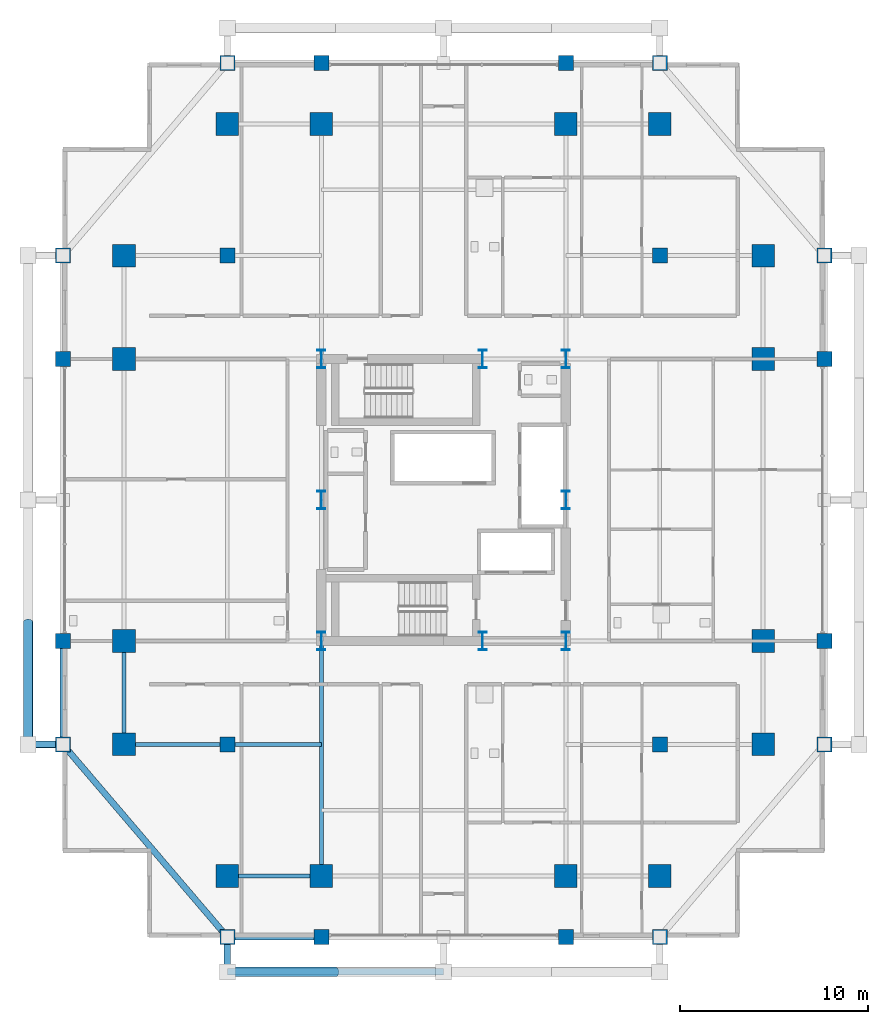
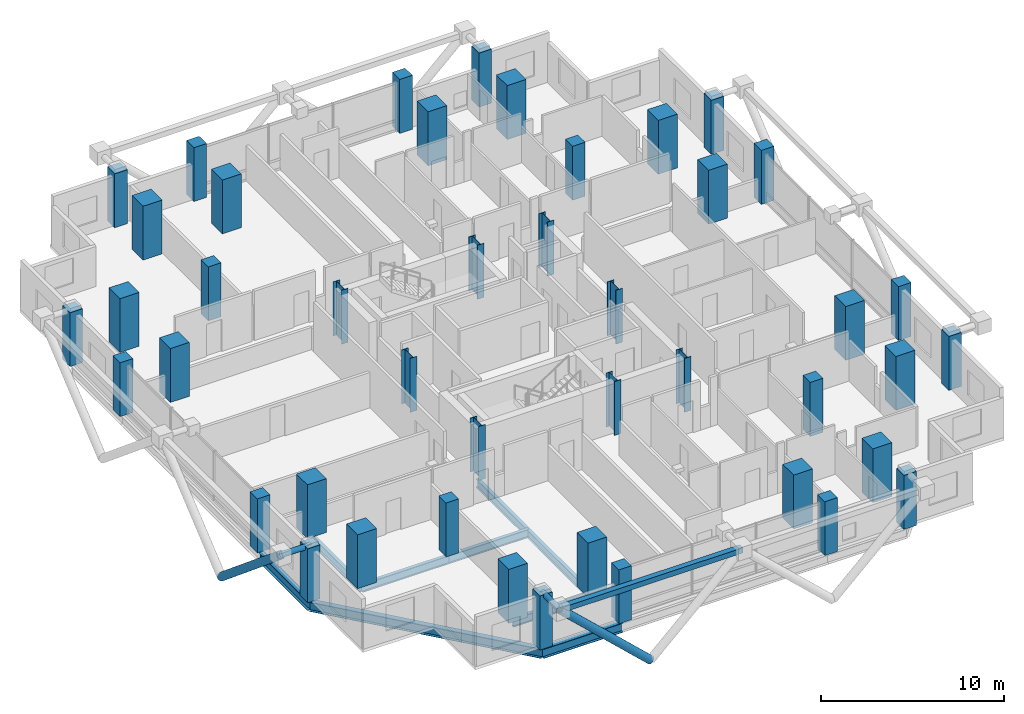
# One storey, part 1 of 25: 44 columns, 8 beams, 5 members.
"""IFC4 building model written with IfcOpenShell, lengths in metres."""

from ifc_helpers import new_model, si_unit, direction, frame, origin, origin_2d, place, context, subcontext, project, spatial, rectangle, hollow_rectangle, hollow_circle, i_section, extrude, material, material_profile, profile_set, type_object, element, save


model = new_model("IFC4")

# Units and contexts
model_context = context("Model", 3, precision=1e-05, world=origin(), true_north=direction((0.0, 1.0)))
body_context = subcontext(model_context, "Body", "Model", "MODEL_VIEW")
ifc_project = project(units=[si_unit("LENGTHUNIT", "METRE"), si_unit("AREAUNIT", "SQUARE_METRE"), si_unit("VOLUMEUNIT", "CUBIC_METRE"), si_unit("PLANEANGLEUNIT", "RADIAN"), si_unit("MASSUNIT", "GRAM", prefix="KILO")], contexts=[model_context])

# Site, building, storey
site_placement = place(None, origin())
site = spatial("IfcSite", under=ifc_project, at=site_placement, CompositionType="ELEMENT")
building_placement = place(site_placement, origin())
building = spatial("IfcBuilding", under=site, at=building_placement, Name="Barlavira Tower and Art Museum", CompositionType="ELEMENT")
storey_placement = place(building_placement, frame((0.0, 0.0, 162.0)))
storey = spatial("IfcBuildingStorey", under=building, at=storey_placement, Name="L41", CompositionType="ELEMENT", Elevation=162.0)

# Columns
ifc_material_1 = material(Name="Steel S355", Category="steel")
ifc_material_profile_1 = material_profile(ifc_material_1, i_section(OverallWidth=0.419921875, OverallDepth=0.9599609375, WebThickness=0.02197265625, FlangeThickness=0.033935546875, at=origin_2d()), Name="W920x387.0")
ifc_profile_set_1 = profile_set([ifc_material_profile_1], Name="Steel S355")
column_type_1 = type_object("IfcColumnType", Name="Core Composite Column W920x387 Steel S355", PredefinedType="COLUMN", material=ifc_profile_set_1)
for number, where, z_axis, x_axis, name in (
    (1, (-6.5, -7.5, 0.0), (0.0, 0.0, 1.0), (1.0, 0.0, 0.0), "L41 Column CC-L41-C1"),
    (2, (2.080078125, -7.5, 0.0), (0.0, 0.0, 1.0), (1.0, 0.0, 0.0), "L41 Column CC-L41-C2"),
    (3, (6.5, -7.5, 0.0), (0.0, 0.0, 1.0), (1.0, 0.0, 0.0), "L41 Column CC-L41-C3"),
    (4, (-6.5, 0.0, 0.0), (0.0, 0.0, 1.0), (1.0, 0.0, 0.0), "L41 Column CC-L41-C4"),
    (5, (6.5, 0.0, 0.0), (0.0, 0.0, 1.0), (1.0, 0.0, 0.0), "L41 Column CC-L41-C5"),
    (6, (-6.5, 7.5, 0.0), (0.0, 0.0, 1.0), (1.0, 0.0, 0.0), "L41 Column CC-L41-C6"),
    (7, (2.080078125, 7.5, 0.0), (0.0, 0.0, 1.0), (1.0, 0.0, 0.0), "L41 Column CC-L41-C7"),
    (8, (6.5, 7.5, 0.0), (0.0, 0.0, 1.0), (1.0, 0.0, 0.0), "L41 Column CC-L41-C8"),
):
    element("IfcColumn", number, at=place(storey_placement, frame(where, z_axis=z_axis, x_axis=x_axis)), inside=storey, type_object=column_type_1, Name=name, PredefinedType="COLUMN", context=body_context, shape_type="SweptSolid", body=[
        extrude(i_section(OverallWidth=0.419921875, OverallDepth=0.9599609375, WebThickness=0.02197265625, FlangeThickness=0.033935546875, at=origin_2d()), origin(), (0.0, 0.0, 1.0), 3.60009765625),
    ])
ifc_material_2 = material(Name="Concrete C60", Category="concrete")
ifc_material_profile_2 = material_profile(ifc_material_2, rectangle(XDim=1.199951171875, YDim=1.199951171875, at=origin_2d()), Name="RC-COL 1200x1200")
ifc_profile_set_2 = profile_set([ifc_material_profile_2], Name="Concrete C60")
column_type_2 = type_object("IfcColumnType", Name="Perimeter Mega Column 1200x1200 Concrete C60", PredefinedType="USERDEFINED", material=ifc_profile_set_2)
for number, where, z_axis, x_axis, name in (
    (9, (-11.5, -20.0, 0.0), (0.0, 0.0, 1.0), (1.0, 0.0, 0.0), "L41 Column MC-L41-M01"),
    (10, (-6.5, -20.0, 0.0), (0.0, 0.0, 1.0), (1.0, 0.0, 0.0), "L41 Column MC-L41-M02"),
    (11, (6.5, -20.0, 0.0), (0.0, 0.0, 1.0), (1.0, 0.0, 0.0), "L41 Column MC-L41-M03"),
    (12, (11.5, -20.0, 0.0), (0.0, 0.0, 1.0), (1.0, 0.0, 0.0), "L41 Column MC-L41-M04"),
    (13, (17.0, -13.0, 0.0), (0.0, 0.0, 1.0), (1.0, 0.0, 0.0), "L41 Column MC-L41-M05"),
    (14, (17.0, -7.5, 0.0), (0.0, 0.0, 1.0), (1.0, 0.0, 0.0), "L41 Column MC-L41-M06"),
    (15, (17.0, 7.5, 0.0), (0.0, 0.0, 1.0), (1.0, 0.0, 0.0), "L41 Column MC-L41-M07"),
    (16, (17.0, 13.0, 0.0), (0.0, 0.0, 1.0), (1.0, 0.0, 0.0), "L41 Column MC-L41-M08"),
    (17, (11.5, 20.0, 0.0), (0.0, 0.0, 1.0), (1.0, 0.0, 0.0), "L41 Column MC-L41-M09"),
    (18, (6.5, 20.0, 0.0), (0.0, 0.0, 1.0), (1.0, 0.0, 0.0), "L41 Column MC-L41-M10"),
    (19, (-6.5, 20.0, 0.0), (0.0, 0.0, 1.0), (1.0, 0.0, 0.0), "L41 Column MC-L41-M11"),
    (20, (-11.5, 20.0, 0.0), (0.0, 0.0, 1.0), (1.0, 0.0, 0.0), "L41 Column MC-L41-M12"),
    (21, (-17.0, 13.0, 0.0), (0.0, 0.0, 1.0), (1.0, 0.0, 0.0), "L41 Column MC-L41-M13"),
    (22, (-17.0, 7.5, 0.0), (0.0, 0.0, 1.0), (1.0, 0.0, 0.0), "L41 Column MC-L41-M14"),
    (23, (-17.0, -7.5, 0.0), (0.0, 0.0, 1.0), (1.0, 0.0, 0.0), "L41 Column MC-L41-M15"),
    (24, (-17.0, -13.0, 0.0), (0.0, 0.0, 1.0), (1.0, 0.0, 0.0), "L41 Column MC-L41-M16"),
):
    element("IfcColumn", number, at=place(storey_placement, frame(where, z_axis=z_axis, x_axis=x_axis)), inside=storey, type_object=column_type_2, Name=name, ObjectType="MEGA COLUMN", PredefinedType="USERDEFINED", context=body_context, shape_type="SweptSolid", body=[
        extrude(rectangle(XDim=1.199951171875, YDim=1.199951171875, at=origin_2d()), origin(), (0.0, 0.0, 1.0), 3.60009765625),
    ])
ifc_material_3 = material(Name="Concrete C50", Category="concrete")
ifc_material_profile_3 = material_profile(ifc_material_3, rectangle(XDim=0.800048828125, YDim=0.800048828125, at=origin_2d()), Name="RC-COL 800x800")
ifc_profile_set_3 = profile_set([ifc_material_profile_3], Name="Concrete C50")
column_type_3 = type_object("IfcColumnType", Name="Podium Frame Column 800x800 Concrete C50", PredefinedType="COLUMN", material=ifc_profile_set_3)
for number, where, z_axis, x_axis, name in (
    (25, (-11.5, -13.0, 0.0), (0.0, 0.0, 1.0), (1.0, 0.0, 0.0), "L41 Column CI-L41-I1"),
    (26, (11.5, -13.0, 0.0), (0.0, 0.0, 1.0), (1.0, 0.0, 0.0), "L41 Column CI-L41-I2"),
    (27, (-11.5, 13.0, 0.0), (0.0, 0.0, 1.0), (1.0, 0.0, 0.0), "L41 Column CI-L41-I3"),
    (28, (11.5, 13.0, 0.0), (0.0, 0.0, 1.0), (1.0, 0.0, 0.0), "L41 Column CI-L41-I4"),
    (29, (-11.5, -23.25, 0.0), (0.0, 0.0, 1.0), (1.0, 0.0, 0.0), "L41 Column CZ2-L41-N01"),
    (30, (-6.5, -23.25, 0.0), (0.0, 0.0, 1.0), (1.0, 0.0, 0.0), "L41 Column CZ2-L41-N02"),
    (31, (6.5, -23.25, 0.0), (0.0, 0.0, 1.0), (1.0, 0.0, 0.0), "L41 Column CZ2-L41-N02B"),
    (32, (11.5, -23.25, 0.0), (0.0, 0.0, 1.0), (1.0, 0.0, 0.0), "L41 Column CZ2-L41-N03"),
    (33, (-20.25, -13.0, 0.0), (0.0, 0.0, 1.0), (1.0, 0.0, 0.0), "L41 Column CZ2-L41-N04"),
    (34, (-20.25, -7.5, 0.0), (0.0, 0.0, 1.0), (1.0, 0.0, 0.0), "L41 Column CZ2-L41-N05"),
    (35, (-20.25, 7.5, 0.0), (0.0, 0.0, 1.0), (1.0, 0.0, 0.0), "L41 Column CZ2-L41-N05B"),
    (36, (-20.25, 13.0, 0.0), (0.0, 0.0, 1.0), (1.0, 0.0, 0.0), "L41 Column CZ2-L41-N06"),
    (37, (-11.5, 23.25, 0.0), (0.0, 0.0, 1.0), (1.0, 0.0, 0.0), "L41 Column CZ2-L41-N07"),
    (38, (-6.5, 23.25, 0.0), (0.0, 0.0, 1.0), (1.0, 0.0, 0.0), "L41 Column CZ2-L41-N08"),
    (39, (6.5, 23.25, 0.0), (0.0, 0.0, 1.0), (1.0, 0.0, 0.0), "L41 Column CZ2-L41-N08B"),
    (40, (11.5, 23.25, 0.0), (0.0, 0.0, 1.0), (1.0, 0.0, 0.0), "L41 Column CZ2-L41-N09"),
    (41, (20.25, -13.0, 0.0), (0.0, 0.0, 1.0), (1.0, 0.0, 0.0), "L41 Column CZ2-L41-N10"),
    (42, (20.25, -7.5, 0.0), (0.0, 0.0, 1.0), (1.0, 0.0, 0.0), "L41 Column CZ2-L41-N11"),
    (43, (20.25, 7.5, 0.0), (0.0, 0.0, 1.0), (1.0, 0.0, 0.0), "L41 Column CZ2-L41-N11B"),
    (44, (20.25, 13.0, 0.0), (0.0, 0.0, 1.0), (1.0, 0.0, 0.0), "L41 Column CZ2-L41-N12"),
):
    element("IfcColumn", number, at=place(storey_placement, frame(where, z_axis=z_axis, x_axis=x_axis)), inside=storey, type_object=column_type_3, Name=name, PredefinedType="COLUMN", context=body_context, shape_type="SweptSolid", body=[
        extrude(rectangle(XDim=0.800048828125, YDim=0.800048828125, at=origin_2d()), origin(), (0.0, 0.0, 1.0), 3.60009765625),
    ])

# Members
ifc_material_profile_4 = material_profile(ifc_material_1, hollow_circle(Radius=0.25390625, WallThickness=0.022216796875, at=origin_2d()), Name="CHS 508.0x22.2")
ifc_profile_set_4 = profile_set([ifc_material_profile_4], Name="Steel S355")
member_type_1 = type_object("IfcMemberType", Name="Pale-Metal Exoskeleton Diagrid Tube CHS 508x22 Steel S355", PredefinedType="BRACE", material=ifc_profile_set_4)
member_1_placement = place(storey_placement, frame((-5.75, -25.10009765625, -1.919921875), z_axis=(-0.728950095515, 0.0, 0.684566839869), x_axis=(0.0, -1.0, 0.0)))
element("IfcMember", 45, at=member_1_placement, inside=storey, type_object=member_type_1, Name="L41 Exoskeleton Diagrid Tube S", PredefinedType="BRACE", context=body_context, shape_type="SweptSolid", body=[
    extrude(hollow_circle(Radius=0.25390625, WallThickness=0.022216796875, at=origin_2d()), origin(), (0.0, 0.0, 1.0), 7.887939453125),
])
member_2_placement = place(storey_placement, frame((-22.10009765625, -6.5, -1.919921875), z_axis=(0.0, -0.769196053329, 0.639012857104), x_axis=(1.0, 0.0, 0.0)))
element("IfcMember", 46, at=member_2_placement, inside=storey, type_object=member_type_1, Name="L41 Exoskeleton Diagrid Tube W", PredefinedType="BRACE", context=body_context, shape_type="SweptSolid", body=[
    extrude(hollow_circle(Radius=0.25390625, WallThickness=0.022216796875, at=origin_2d()), origin(), (0.0, 0.0, 1.0), 8.450439453125),
])
ifc_material_profile_5 = material_profile(ifc_material_1, hollow_rectangle(XDim=0.35009765625, YDim=0.35009765625, WallThickness=0.02001953125, at=origin_2d()), Name="SHS 350x350x20.0")
ifc_profile_set_5 = profile_set([ifc_material_profile_5], Name="Steel S355")
member_type_2 = type_object("IfcMemberType", Name="Pale-Metal Exoskeleton Ring Strut SHS 350x350x20 Steel S355", PredefinedType="STRUT", material=ifc_profile_set_5)
member_3_placement = place(storey_placement, frame((-11.5, -25.10009765625, 3.47998046875), z_axis=(1.0, 0.0, 0.0), x_axis=(0.0, 1.0, 0.0)))
element("IfcMember", 47, at=member_3_placement, inside=storey, type_object=member_type_2, Name="L41 Exoskeleton Top Ring Strut S", PredefinedType="STRUT", context=body_context, shape_type="SweptSolid", body=[
    extrude(hollow_rectangle(XDim=0.35009765625, YDim=0.35009765625, WallThickness=0.02001953125, at=origin_2d()), origin(), (0.0, 0.0, 1.0), 11.5),
])
ifc_material_profile_6 = material_profile(ifc_material_1, hollow_circle(Radius=0.177734375, WallThickness=0.01611328125, at=origin_2d()), Name="CHS 355.6x16.0")
ifc_profile_set_6 = profile_set([ifc_material_profile_6], Name="Steel S355")
member_type_3 = type_object("IfcMemberType", Name="Pale-Metal Exoskeleton Tie Strut CHS 356x16 Steel S355", PredefinedType="STRUT", material=ifc_profile_set_6)
for number, where, z_axis, x_axis, name in (
    (48, (-11.5, -25.10009765625, 3.47998046875), (0.0, 1.0, 0.0), (-1.0, 0.0, 0.0), "L41 Exoskeleton Top Tie Strut S1"),
    (49, (-22.10009765625, -13.0, 3.47998046875), (1.0, 0.0, 0.0), (0.0, 1.0, 0.0), "L41 Exoskeleton Top Tie Strut W1"),
):
    element("IfcMember", number, at=place(storey_placement, frame(where, z_axis=z_axis, x_axis=x_axis)), inside=storey, type_object=member_type_3, Name=name, PredefinedType="STRUT", context=body_context, shape_type="SweptSolid", body=[
        extrude(hollow_circle(Radius=0.177734375, WallThickness=0.01611328125, at=origin_2d()), origin(), (0.0, 0.0, 1.0), 1.85009765625),
    ])

# Beams
ifc_material_profile_7 = material_profile(ifc_material_1, i_section(OverallWidth=0.327880859375, OverallDepth=0.62890625, WebThickness=0.013916015625, FlangeThickness=0.021484375, at=origin_2d()), Name="W610x174.0")
ifc_profile_set_7 = profile_set([ifc_material_profile_7], Name="Steel S355")
beam_type_1 = type_object("IfcBeamType", Name="Perimeter Spandrel Edge Beam W610x174 Steel S355", PredefinedType="SPANDREL", material=ifc_profile_set_7)
beam_1_placement = place(storey_placement, frame((-11.5, -23.25, -0.534423828125), z_axis=(1.0, 0.0, 0.0), x_axis=(0.0, 1.0, 0.0)))
element("IfcBeam", 50, at=beam_1_placement, inside=storey, type_object=beam_type_1, Name="L41 Spandrel 1", PredefinedType="SPANDREL", context=body_context, shape_type="SweptSolid", body=[
    extrude(i_section(OverallWidth=0.327880859375, OverallDepth=0.62890625, WebThickness=0.013916015625, FlangeThickness=0.021484375, at=origin_2d()), origin(), (0.0, 0.0, 1.0), 5.0),
])
beam_2_placement = place(storey_placement, frame((-20.25, -13.0, -0.534423828125), z_axis=(0.0, 1.0, 0.0), x_axis=(-1.0, 0.0, 0.0)))
element("IfcBeam", 51, at=beam_2_placement, inside=storey, type_object=beam_type_1, Name="L41 Spandrel 15", PredefinedType="SPANDREL", context=body_context, shape_type="SweptSolid", body=[
    extrude(i_section(OverallWidth=0.327880859375, OverallDepth=0.62890625, WebThickness=0.013916015625, FlangeThickness=0.021484375, at=origin_2d()), origin(), (0.0, 0.0, 1.0), 5.5),
])
beam_3_placement = place(storey_placement, frame((-20.25, -13.0, -0.534423828125), z_axis=(0.649262379928, -0.760564502202, 0.0), x_axis=(0.760564502202, 0.649262379928, 0.0)))
element("IfcBeam", 52, at=beam_3_placement, inside=storey, type_object=beam_type_1, Name="L41 Spandrel 16", PredefinedType="SPANDREL", context=body_context, shape_type="SweptSolid", body=[
    extrude(i_section(OverallWidth=0.327880859375, OverallDepth=0.62890625, WebThickness=0.013916015625, FlangeThickness=0.021484375, at=origin_2d()), origin(), (0.0, 0.0, 1.0), 13.476806640625),
])
ifc_material_profile_8 = material_profile(ifc_material_1, i_section(OverallWidth=0.214111328125, OverallDepth=0.549072265625, WebThickness=0.0146484375, FlangeThickness=0.023681640625, at=origin_2d()), Name="W530x138.0")
ifc_profile_set_8 = profile_set([ifc_material_profile_8], Name="Steel S355")
beam_type_2 = type_object("IfcBeamType", Name="Zone 1 Primary Floor Girder W530x138 Steel S355", PredefinedType="BEAM", material=ifc_profile_set_8)
beam_4_placement = place(storey_placement, frame((-11.5, -20.0, -0.494384765625), z_axis=(1.0, 0.0, 0.0), x_axis=(0.0, 1.0, 0.0)))
element("IfcBeam", 53, at=beam_4_placement, inside=storey, type_object=beam_type_2, Name="L41 Girder M-S1", PredefinedType="BEAM", context=body_context, shape_type="SweptSolid", body=[
    extrude(i_section(OverallWidth=0.214111328125, OverallDepth=0.549072265625, WebThickness=0.0146484375, FlangeThickness=0.023681640625, at=origin_2d()), origin(), (0.0, 0.0, 1.0), 5.0),
])
beam_5_placement = place(storey_placement, frame((-17.0, -13.0, -0.494384765625), z_axis=(0.0, 1.0, 0.0), x_axis=(-1.0, 0.0, 0.0)))
element("IfcBeam", 54, at=beam_5_placement, inside=storey, type_object=beam_type_2, Name="L41 Girder M-W1", PredefinedType="BEAM", context=body_context, shape_type="SweptSolid", body=[
    extrude(i_section(OverallWidth=0.214111328125, OverallDepth=0.549072265625, WebThickness=0.0146484375, FlangeThickness=0.023681640625, at=origin_2d()), origin(), (0.0, 0.0, 1.0), 5.5),
])
beam_6_placement = place(storey_placement, frame((-6.5, -20.0, -0.494384765625), z_axis=(0.0, 1.0, 0.0), x_axis=(-1.0, 0.0, 0.0)))
element("IfcBeam", 55, at=beam_6_placement, inside=storey, type_object=beam_type_2, Name="L41 Girder R-S1", PredefinedType="BEAM", context=body_context, shape_type="SweptSolid", body=[
    extrude(i_section(OverallWidth=0.214111328125, OverallDepth=0.549072265625, WebThickness=0.0146484375, FlangeThickness=0.023681640625, at=origin_2d()), origin(), (0.0, 0.0, 1.0), 12.5),
])
beam_7_placement = place(storey_placement, frame((-17.0, -13.0, -0.494384765625), z_axis=(1.0, 0.0, 0.0), x_axis=(0.0, 1.0, 0.0)))
element("IfcBeam", 56, at=beam_7_placement, inside=storey, type_object=beam_type_2, Name="L41 Girder I-S1", PredefinedType="BEAM", context=body_context, shape_type="SweptSolid", body=[
    extrude(i_section(OverallWidth=0.214111328125, OverallDepth=0.549072265625, WebThickness=0.0146484375, FlangeThickness=0.023681640625, at=origin_2d()), origin(), (0.0, 0.0, 1.0), 5.5),
])
beam_8_placement = place(storey_placement, frame((-11.5, -13.0, -0.494384765625), z_axis=(1.0, 0.0, 0.0), x_axis=(0.0, 1.0, 0.0)))
element("IfcBeam", 57, at=beam_8_placement, inside=storey, type_object=beam_type_2, Name="L41 Girder I-S2", PredefinedType="BEAM", context=body_context, shape_type="SweptSolid", body=[
    extrude(i_section(OverallWidth=0.214111328125, OverallDepth=0.549072265625, WebThickness=0.0146484375, FlangeThickness=0.023681640625, at=origin_2d()), origin(), (0.0, 0.0, 1.0), 5.0),
])

save(model, "model.ifc")
